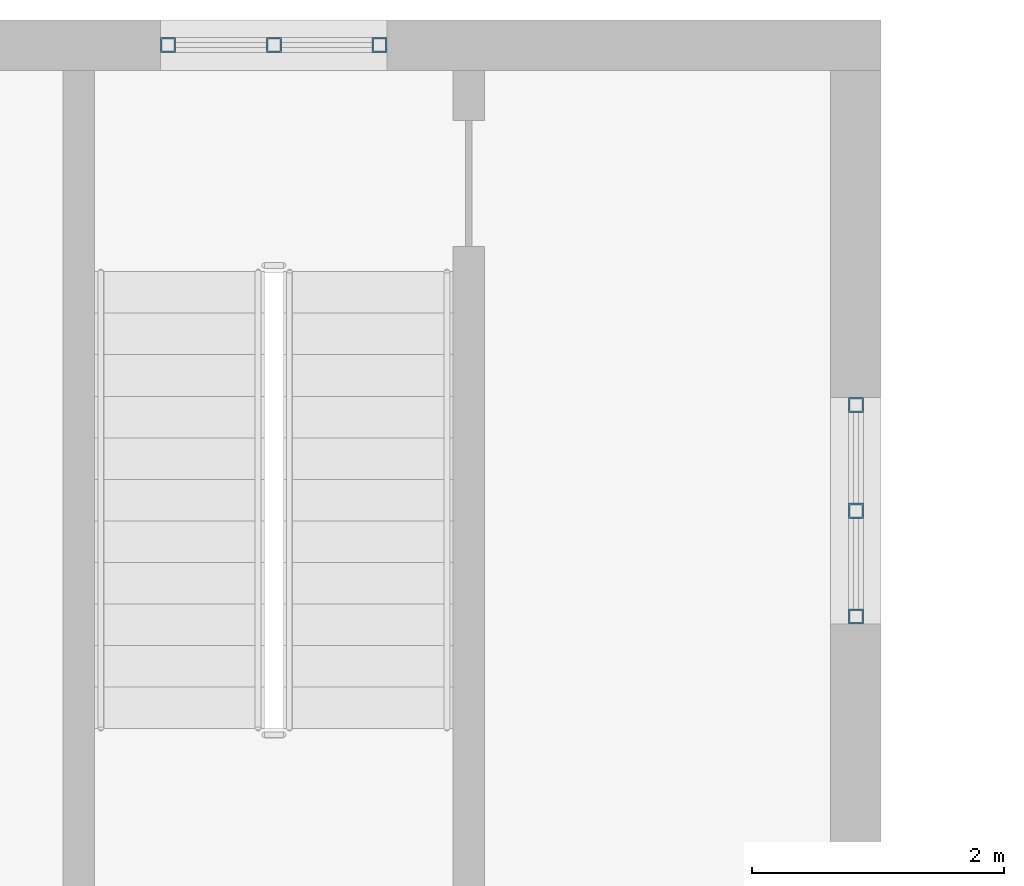
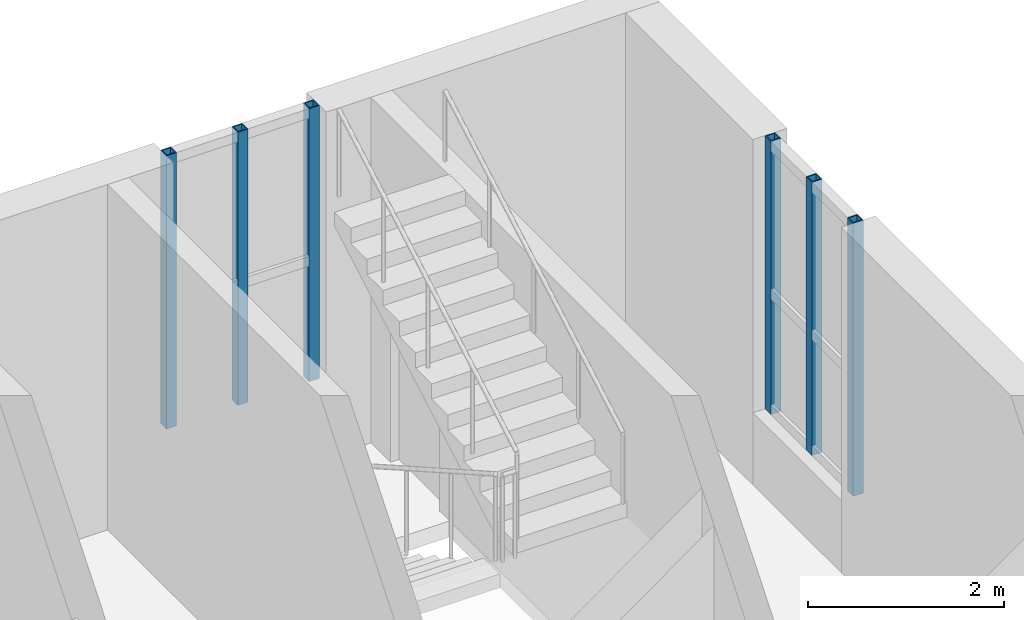
# One storey, part 55 of 131: 6 members, 2 elements without a shape of their own.
"""IFC4 building model written with IfcOpenShell, lengths in metres."""

from ifc_helpers import new_model, si_unit, direction, frame, origin, origin_2d, place, context, subcontext, project, spatial, hollow_rectangle, extrude, material, material_profile, profile_set, type_object, element, aggregate, save


model = new_model("IFC4")

# Units and contexts
model_context = context("Model", 3, precision=1e-05, world=origin(), true_north=direction((0.0, 1.0)))
body_context = subcontext(model_context, "Body", "Model", "MODEL_VIEW")
ifc_project = project(units=[si_unit("LENGTHUNIT", "METRE"), si_unit("AREAUNIT", "SQUARE_METRE"), si_unit("VOLUMEUNIT", "CUBIC_METRE"), si_unit("PLANEANGLEUNIT", "RADIAN"), si_unit("MASSUNIT", "GRAM", prefix="KILO")], contexts=[model_context])

# Site, building, storey
site_placement = place(None, origin())
site = spatial("IfcSite", under=ifc_project, at=site_placement, CompositionType="ELEMENT")
building_placement = place(site_placement, origin())
building = spatial("IfcBuilding", under=site, at=building_placement, Name="Golden Quay Civic Hall", CompositionType="ELEMENT")
storey_placement = place(building_placement, frame((0.0, 0.0, 9.89990234375)))
storey = spatial("IfcBuildingStorey", under=building, at=storey_placement, Name="L02", CompositionType="ELEMENT", Elevation=9.89990234375)

# Curtain wall, members
ifc_material_1 = material(Name="Fire-resisting glass and steel", Category="steel")
curtain_wall_type = type_object("IfcCurtainWallType", Name="Fire-resisting glazed stair curtain wall EI 120", PredefinedType="NOTDEFINED", material=ifc_material_1)
curtain_wall_1_placement = place(storey_placement, origin())
curtain_wall_1 = element("IfcCurtainWall", 1, at=curtain_wall_1_placement, inside=storey, type_object=curtain_wall_type, Name="CW4 stair curtain wall", PredefinedType="NOTDEFINED")
ifc_material_2 = material(Name="Steel S355", Category="steel")
ifc_material_profile = material_profile(ifc_material_2, hollow_rectangle(XDim=0.1201171875, YDim=0.1201171875, WallThickness=0.012451171875, at=origin_2d()), Name="SHS 120x120x12.5")
ifc_profile_set = profile_set([ifc_material_profile], Name="Steel S355")
member_type = type_object("IfcMemberType", Name="Fire-resisting steel stair mullion 120 x 120", PredefinedType="MULLION", material=ifc_profile_set)
member_1_placement = place(storey_placement, frame((102.534912109375, 108.0, 0.900146484375), z_axis=(0.0, 0.0, 1.0), x_axis=(0.0, 1.0, 0.0)))
member_1 = element("IfcMember", 2, at=member_1_placement, type_object=member_type, Name="CW4 mullion 1", PredefinedType="MULLION", context=body_context, shape_type="SweptSolid", body=[
    extrude(hollow_rectangle(XDim=0.1201171875, YDim=0.1201171875, WallThickness=0.012451171875, at=origin_2d()), origin(), (0.0, 0.0, 1.0), 3.39990234375),
])
member_2_placement = place(storey_placement, frame((103.375, 108.0, 0.900146484375), z_axis=(0.0, 0.0, 1.0), x_axis=(0.0, 1.0, 0.0)))
member_2 = element("IfcMember", 3, at=member_2_placement, type_object=member_type, Name="CW4 mullion 2", PredefinedType="MULLION", context=body_context, shape_type="SweptSolid", body=[
    extrude(hollow_rectangle(XDim=0.1201171875, YDim=0.1201171875, WallThickness=0.012451171875, at=origin_2d()), origin(), (0.0, 0.0, 1.0), 3.39990234375),
])
member_3_placement = place(storey_placement, frame((104.215087890625, 108.0, 0.900146484375), z_axis=(0.0, 0.0, 1.0), x_axis=(0.0, 1.0, 0.0)))
member_3 = element("IfcMember", 4, at=member_3_placement, type_object=member_type, Name="CW4 mullion 3", PredefinedType="MULLION", context=body_context, shape_type="SweptSolid", body=[
    extrude(hollow_rectangle(XDim=0.1201171875, YDim=0.1201171875, WallThickness=0.012451171875, at=origin_2d()), origin(), (0.0, 0.0, 1.0), 3.39990234375),
])
aggregate(curtain_wall_1, [member_1, member_2, member_3])

curtain_wall_2_placement = place(storey_placement, origin())
curtain_wall_2 = element("IfcCurtainWall", 5, at=curtain_wall_2_placement, inside=storey, type_object=curtain_wall_type, Name="CW4 stair curtain wall", PredefinedType="NOTDEFINED")
member_4_placement = place(storey_placement, frame((108.0, 103.4599609375, 0.900146484375), z_axis=(0.0, 0.0, 1.0), x_axis=(-1.0, 0.0, 0.0)))
member_4 = element("IfcMember", 6, at=member_4_placement, type_object=member_type, Name="CW4 mullion 1", PredefinedType="MULLION", context=body_context, shape_type="SweptSolid", body=[
    extrude(hollow_rectangle(XDim=0.1201171875, YDim=0.1201171875, WallThickness=0.012451171875, at=origin_2d()), origin(), (0.0, 0.0, 1.0), 3.39990234375),
])
member_5_placement = place(storey_placement, frame((108.0, 104.300048828125, 0.900146484375), z_axis=(0.0, 0.0, 1.0), x_axis=(-1.0, 0.0, 0.0)))
member_5 = element("IfcMember", 7, at=member_5_placement, type_object=member_type, Name="CW4 mullion 2", PredefinedType="MULLION", context=body_context, shape_type="SweptSolid", body=[
    extrude(hollow_rectangle(XDim=0.1201171875, YDim=0.1201171875, WallThickness=0.012451171875, at=origin_2d()), origin(), (0.0, 0.0, 1.0), 3.39990234375),
])
member_6_placement = place(storey_placement, frame((108.0, 105.139892578125, 0.900146484375), z_axis=(0.0, 0.0, 1.0), x_axis=(-1.0, 0.0, 0.0)))
member_6 = element("IfcMember", 8, at=member_6_placement, type_object=member_type, Name="CW4 mullion 3", PredefinedType="MULLION", context=body_context, shape_type="SweptSolid", body=[
    extrude(hollow_rectangle(XDim=0.1201171875, YDim=0.1201171875, WallThickness=0.012451171875, at=origin_2d()), origin(), (0.0, 0.0, 1.0), 3.39990234375),
])
aggregate(curtain_wall_2, [member_4, member_5, member_6])

save(model, "model.ifc")
